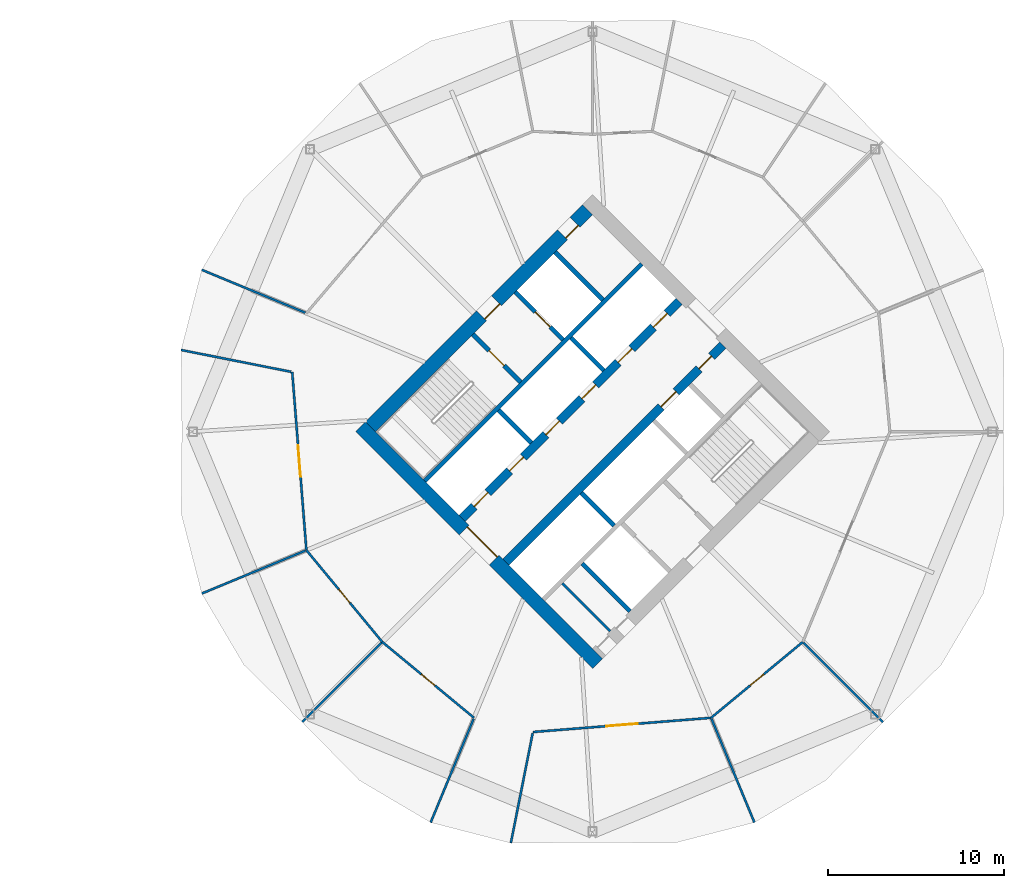
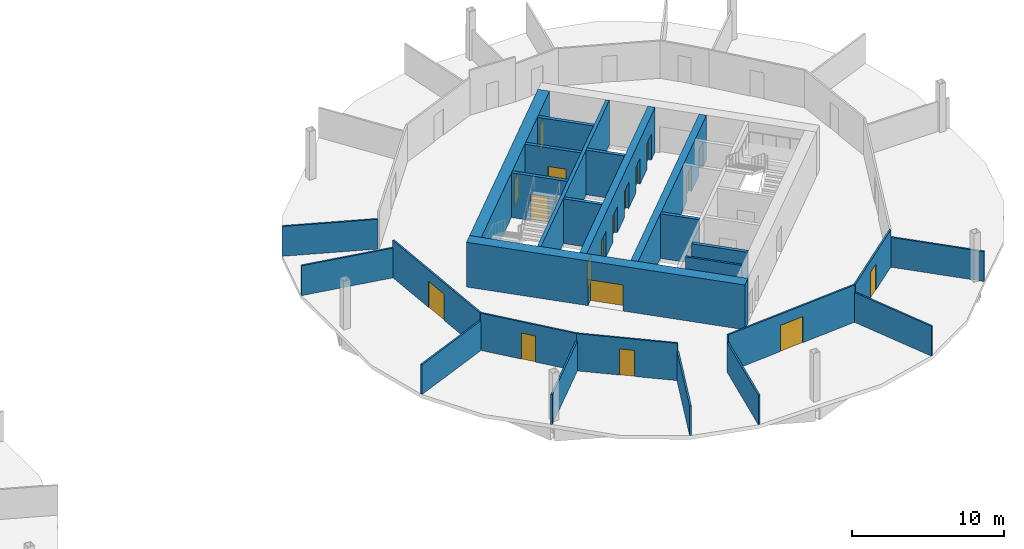
# One storey, part 6 of 9: 26 walls, 18 doors, 18 openings.
"""IFC4 building model written with IfcOpenShell, lengths in metres."""

from ifc_helpers import new_model, si_unit, direction, frame, frame_2d, origin, place, context, subcontext, project, spatial, rectangle, extrude, material, layer, layer_set, type_object, element, fill, save


model = new_model("IFC4")

# Units and contexts
model_context = context("Model", 3, precision=1e-05, world=origin(), true_north=direction((0.0, 1.0)))
body_context = subcontext(model_context, "Body", "Model", "MODEL_VIEW")
ifc_project = project(units=[si_unit("LENGTHUNIT", "METRE"), si_unit("AREAUNIT", "SQUARE_METRE"), si_unit("VOLUMEUNIT", "CUBIC_METRE"), si_unit("PLANEANGLEUNIT", "RADIAN"), si_unit("MASSUNIT", "GRAM", prefix="KILO")], contexts=[model_context])

# Site, building, storey
site_placement = place(None, origin())
site = spatial("IfcSite", under=ifc_project, at=site_placement, CompositionType="ELEMENT")
building_placement = place(site_placement, origin())
building = spatial("IfcBuilding", under=site, at=building_placement, Name="Ogive Gate Towers", CompositionType="ELEMENT")
storey_placement = place(building_placement, frame((0.0, 0.0, 84.0)))
storey = spatial("IfcBuildingStorey", under=building, at=storey_placement, Name="L19", CompositionType="ELEMENT", Elevation=84.0)

# Wall, openings, doors
ifc_material_1 = material(Name="Concrete C60/75", Category="concrete")
ifc_layer_1 = layer(ifc_material_1, 0.800048828125)
ifc_layer_set_1 = layer_set([ifc_layer_1], Name="Core wall 800 mm")
wall_type_1 = type_object("IfcWallType", Name="Core wall 800 mm", PredefinedType="SHEAR", material=ifc_layer_set_1)
wall_1_placement = place(storey_placement, frame((23.41357421875, 0.28271484375, 0.0), z_axis=(0.0, 0.0, 1.0), x_axis=(0.707106781187, 0.707106781187, 0.0)))
wall_1 = element("IfcWall", 1, at=wall_1_placement, inside=storey, type_object=wall_type_1, Name="T2 L19 Core wall 800 mm", PredefinedType="SHEAR", context=body_context, shape_type="SweptSolid", body=[
    extrude(rectangle(XDim=17.400146484375, YDim=0.800048828125, at=frame_2d((8.7001953125, 0.0))), origin(), (0.0, 0.0, 1.0), 3.60009765625),
])
opening_1_placement = place(wall_1_placement, frame((8.89990234375, 0.0, 0.0)))
opening_1 = element("IfcOpeningElement", 2, at=opening_1_placement, cuts=wall_1, Name="Opening KD-T2-L19-15", PredefinedType="OPENING", context=body_context, shape_type="SweptSolid", body=[
    extrude(rectangle(XDim=1.199951171875, YDim=2.10009765625, at=frame_2d((0.60009765625, 1.050048828125))), frame((0.0, 0.41015625, 0.0), z_axis=(0.0, -1.0, 0.0), x_axis=(1.0, 0.0, 0.0)), (0.0, 0.0, 1.0), 0.820068359375),
])
opening_2_placement = place(wall_1_placement, frame((15.39990234375, 0.0, 0.0)))
opening_2 = element("IfcOpeningElement", 3, at=opening_2_placement, cuts=wall_1, Name="Opening KD-T2-L19-17", PredefinedType="OPENING", context=body_context, shape_type="SweptSolid", body=[
    extrude(rectangle(XDim=1.0, YDim=2.10009765625, at=frame_2d((0.5, 1.050048828125))), frame((0.0, 0.41015625, 0.0), z_axis=(0.0, -1.0, 0.0), x_axis=(1.0, 0.0, 0.0)), (0.0, 0.0, 1.0), 0.820068359375),
])
ifc_material_2 = material(Name="Timber door", Category="wood")
door_type_1 = type_object("IfcDoorType", Name="Accessible WC door 1000 x 2100", OperationType="NOTDEFINED", PredefinedType="DOOR", material=ifc_material_2)
door_1_placement = place(opening_2_placement, origin())
door_1 = element("IfcDoor", 4, at=door_1_placement, inside=storey, type_object=door_type_1, Name="T2 L19 Core door", OperationType="SINGLE_SWING_RIGHT", OverallHeight=2.10009765625, OverallWidth=1.0, PredefinedType="DOOR", context=body_context, shape_type="SweptSolid", body=[
    extrude(rectangle(XDim=1.0, YDim=2.10009765625, at=frame_2d((0.5, 1.050048828125))), frame((0.0, -0.22509765625, 0.0), z_axis=(0.0, -1.0, 0.0), x_axis=(1.0, 0.0, 0.0)), (0.0, 0.0, 1.0), 0.050048828125),
])
fill(opening_2, door_1)
ifc_material_3 = material(Name="Steel fire door", Category="steel")
door_type_2 = type_object("IfcDoorType", Name="Core door FD60S 1200 x 2100", OperationType="NOTDEFINED", PredefinedType="DOOR", material=ifc_material_3)
door_2_placement = place(opening_1_placement, origin())
door_2 = element("IfcDoor", 5, at=door_2_placement, inside=storey, type_object=door_type_2, Name="T2 L19 Fire-fighting lobby door", OperationType="SINGLE_SWING_RIGHT", OverallHeight=2.10009765625, OverallWidth=1.199951171875, PredefinedType="DOOR", context=body_context, shape_type="SweptSolid", body=[
    extrude(rectangle(XDim=1.199951171875, YDim=2.10009765625, at=frame_2d((0.60009765625, 1.050048828125))), frame((0.0, -0.22509765625, 0.0), z_axis=(0.0, -1.0, 0.0), x_axis=(1.0, 0.0, 0.0)), (0.0, 0.0, 1.0), 0.050048828125),
])
fill(opening_1, door_2)

# Wall, opening, door
wall_2_placement = place(storey_placement, frame((36.28271484375, -13.152099609375, 0.0), z_axis=(0.0, 0.0, 1.0), x_axis=(-0.707106781187, 0.707106781187, 0.0)))
wall_2 = element("IfcWall", 6, at=wall_2_placement, inside=storey, type_object=wall_type_1, Name="T2 L19 Core wall 800 mm", PredefinedType="SHEAR", context=body_context, shape_type="SweptSolid", body=[
    extrude(rectangle(XDim=18.999755859375, YDim=0.800048828125, at=frame_2d((9.5, 0.0))), origin(), (0.0, 0.0, 1.0), 3.60009765625),
])
opening_3_placement = place(wall_2_placement, frame((8.300048828125, 0.0, 0.0)))
opening_3 = element("IfcOpeningElement", 7, at=opening_3_placement, cuts=wall_2, Name="Opening KD-T2-L19-01", PredefinedType="OPENING", context=body_context, shape_type="SweptSolid", body=[
    extrude(rectangle(XDim=2.39990234375, YDim=2.10009765625, at=frame_2d((1.199951171875, 1.050048828125))), frame((0.0, 0.41015625, 0.0), z_axis=(0.0, -1.0, 0.0), x_axis=(1.0, 0.0, 0.0)), (0.0, 0.0, 1.0), 0.820068359375),
])
door_type_3 = type_object("IfcDoorType", Name="Core double door FD60S 2400 x 2100", OperationType="DOUBLE_DOOR_SINGLE_SWING", PredefinedType="DOOR", material=ifc_material_3)
door_3_placement = place(opening_3_placement, origin())
door_3 = element("IfcDoor", 8, at=door_3_placement, inside=storey, type_object=door_type_3, Name="T2 L19 Core door double", OperationType="DOUBLE_DOOR_SINGLE_SWING", OverallHeight=2.10009765625, OverallWidth=2.39990234375, PredefinedType="DOOR", context=body_context, shape_type="SweptSolid", body=[
    extrude(rectangle(XDim=2.39990234375, YDim=2.10009765625, at=frame_2d((1.199951171875, 1.050048828125))), frame((0.0, -0.22509765625, 0.0), z_axis=(0.0, -1.0, 0.0), x_axis=(1.0, 0.0, 0.0)), (0.0, 0.0, 1.0), 0.050048828125),
])
fill(opening_3, door_3)

# Walls
ifc_material_4 = material(Name="Gypsum board partition")
ifc_layer_2 = layer(ifc_material_4, 0.125)
ifc_layer_set_2 = layer_set([ifc_layer_2], Name="Partition 125")
wall_type_2 = type_object("IfcWallType", Name="Partition 125", PredefinedType="PARTITIONING", material=ifc_layer_set_2)
wall_3_placement = place(storey_placement, frame((13.826904296875, 9.184326171875, 0.0), z_axis=(0.0, 0.0, 1.0), x_axis=(0.923885020089, -0.382670183912, 0.0)))
element("IfcWall", 9, at=wall_3_placement, inside=storey, type_object=wall_type_2, Name="Partition T2-L19-009", PredefinedType="PARTITIONING", context=body_context, shape_type="SweptSolid", body=[
    extrude(rectangle(XDim=6.365966796875, YDim=0.125, at=frame_2d((3.18310546875, 0.0))), origin(), (0.0, 0.0, 1.0), 2.39990234375),
])
wall_4_placement = place(storey_placement, frame((12.65625, 4.6357421875, 0.0), z_axis=(0.0, 0.0, 1.0), x_axis=(0.980845288953, -0.1947883958, 0.0)))
element("IfcWall", 10, at=wall_4_placement, inside=storey, type_object=wall_type_2, Name="Partition T2-L19-010", PredefinedType="PARTITIONING", context=body_context, shape_type="SweptSolid", body=[
    extrude(rectangle(XDim=6.36572265625, YDim=0.125, at=frame_2d((3.182861328125, 0.0))), origin(), (0.0, 0.0, 1.0), 2.39990234375),
])
for number, where, z_axis, x_axis, name in (
    (11, (13.826904296875, -9.184326171875, 0.0), (0.0, 0.0, 1.0), (0.923885020089, 0.382670183912, 0.0), "Partition T2-L19-011"),
    (12, (19.525146484375, -16.474853515625, 0.0), (0.0, 0.0, 1.0), (0.707106781187, 0.707106781187, 0.0), "Partition T2-L19-012"),
    (13, (26.815673828125, -22.173095703125, 0.0), (0.0, 0.0, 1.0), (0.382670183912, 0.923885020089, 0.0), "Partition T2-L19-013"),
):
    element("IfcWall", number, at=place(storey_placement, frame(where, z_axis=z_axis, x_axis=x_axis)), inside=storey, type_object=wall_type_2, Name=name, PredefinedType="PARTITIONING", context=body_context, shape_type="SweptSolid", body=[
        extrude(rectangle(XDim=6.365966796875, YDim=0.125, at=frame_2d((3.18310546875, 0.0))), origin(), (0.0, 0.0, 1.0), 2.39990234375),
    ])
wall_5_placement = place(storey_placement, frame((31.3642578125, -23.34375, 0.0), z_axis=(0.0, 0.0, 1.0), x_axis=(0.1947883958, 0.980845288953, 0.0)))
element("IfcWall", 14, at=wall_5_placement, inside=storey, type_object=wall_type_2, Name="Partition T2-L19-014", PredefinedType="PARTITIONING", context=body_context, shape_type="SweptSolid", body=[
    extrude(rectangle(XDim=6.36572265625, YDim=0.125, at=frame_2d((3.182861328125, 0.0))), origin(), (0.0, 0.0, 1.0), 2.39990234375),
])
for number, where, z_axis, x_axis, name in (
    (15, (45.184326171875, -22.173095703125, 0.0), (0.0, 0.0, 1.0), (-0.382670183912, 0.923885020089, 0.0), "Partition T2-L19-015"),
    (16, (52.474853515625, -16.474853515625, 0.0), (0.0, 0.0, 1.0), (-0.707106781187, 0.707106781187, 0.0), "Partition T2-L19-016"),
):
    element("IfcWall", number, at=place(storey_placement, frame(where, z_axis=z_axis, x_axis=x_axis)), inside=storey, type_object=wall_type_2, Name=name, PredefinedType="PARTITIONING", context=body_context, shape_type="SweptSolid", body=[
        extrude(rectangle(XDim=6.365966796875, YDim=0.125, at=frame_2d((3.18310546875, 0.0))), origin(), (0.0, 0.0, 1.0), 2.39990234375),
    ])

# Wall, opening, door
wall_6_placement = place(storey_placement, frame((18.96142578125, 3.383544921875, 0.0), z_axis=(0.0, 0.0, 1.0), x_axis=(0.079358602321, -0.996846132679, 0.0)))
wall_6 = element("IfcWall", 17, at=wall_6_placement, inside=storey, type_object=wall_type_2, Name="Partition T2-L19-017", PredefinedType="PARTITIONING", context=body_context, shape_type="SweptSolid", body=[
    extrude(rectangle(XDim=10.139892578125, YDim=0.125, at=frame_2d((5.06982421875, 0.0))), origin(), (0.0, 0.0, 1.0), 3.0),
])
opening_4_placement = place(wall_6_placement, frame((4.169921875, 0.0, 0.0)))
opening_4 = element("IfcOpeningElement", 18, at=opening_4_placement, cuts=wall_6, Name="Opening T2-L19-D01", PredefinedType="OPENING", context=body_context, shape_type="SweptSolid", body=[
    extrude(rectangle(XDim=1.800048828125, YDim=2.10009765625, at=frame_2d((0.89990234375, 1.050048828125))), frame((0.0, 0.072509765625, 0.0), z_axis=(0.0, -1.0, 0.0), x_axis=(1.0, 0.0, 0.0)), (0.0, 0.0, 1.0), 0.14501953125),
])
door_type_4 = type_object("IfcDoorType", Name="Door pair 1800", OperationType="NOTDEFINED", PredefinedType="DOOR", material=ifc_material_2)
door_4_placement = place(opening_4_placement, origin())
door_4 = element("IfcDoor", 19, at=door_4_placement, inside=storey, type_object=door_type_4, Name="Door T2-L19-D01", OperationType="DOUBLE_DOOR_DOUBLE_SWING", OverallHeight=2.10009765625, OverallWidth=1.800048828125, PredefinedType="DOOR", context=body_context, shape_type="SweptSolid", body=[
    extrude(rectangle(XDim=1.800048828125, YDim=2.10009765625, at=frame_2d((0.89990234375, 1.050048828125))), frame((0.0, 0.02490234375, 0.0), z_axis=(0.0, -1.0, 0.0), x_axis=(1.0, 0.0, 0.0)), (0.0, 0.0, 1.0), 0.050048828125),
])
fill(opening_4, door_4)

wall_7_placement = place(storey_placement, frame((19.76611328125, -6.724365234375, 0.0), z_axis=(0.0, 0.0, 1.0), x_axis=(0.63732504297, -0.77059508797, 0.0)))
wall_7 = element("IfcWall", 20, at=wall_7_placement, inside=storey, type_object=wall_type_2, Name="Partition T2-L19-018", PredefinedType="PARTITIONING", context=body_context, shape_type="SweptSolid", body=[
    extrude(rectangle(XDim=6.75439453125, YDim=0.125, at=frame_2d((3.377197265625, 0.0))), origin(), (0.0, 0.0, 1.0), 3.0),
])
opening_5_placement = place(wall_7_placement, frame((2.876953125, 0.0, 0.0)))
opening_5 = element("IfcOpeningElement", 21, at=opening_5_placement, cuts=wall_7, Name="Opening T2-L19-D02", PredefinedType="OPENING", context=body_context, shape_type="SweptSolid", body=[
    extrude(rectangle(XDim=1.0, YDim=2.10009765625, at=frame_2d((0.5, 1.050048828125))), frame((0.0, 0.072509765625, 0.0), z_axis=(0.0, -1.0, 0.0), x_axis=(1.0, 0.0, 0.0)), (0.0, 0.0, 1.0), 0.14501953125),
])
door_type_5 = type_object("IfcDoorType", Name="Door 1000", OperationType="NOTDEFINED", PredefinedType="DOOR", material=ifc_material_2)
door_5_placement = place(opening_5_placement, origin())
door_5 = element("IfcDoor", 22, at=door_5_placement, inside=storey, type_object=door_type_5, Name="Door T2-L19-D02", OperationType="SINGLE_SWING_LEFT", OverallHeight=2.10009765625, OverallWidth=1.0, PredefinedType="DOOR", context=body_context, shape_type="SweptSolid", body=[
    extrude(rectangle(XDim=1.0, YDim=2.10009765625, at=frame_2d((0.5, 1.050048828125))), frame((0.0, 0.02490234375, 0.0), z_axis=(0.0, -1.0, 0.0), x_axis=(1.0, 0.0, 0.0)), (0.0, 0.0, 1.0), 0.050048828125),
])
fill(opening_5, door_5)

wall_8_placement = place(storey_placement, frame((24.07080078125, -11.92919921875, 0.0), z_axis=(0.0, 0.0, 1.0), x_axis=(0.77059508797, -0.63732504297, 0.0)))
wall_8 = element("IfcWall", 23, at=wall_8_placement, inside=storey, type_object=wall_type_2, Name="Partition T2-L19-019", PredefinedType="PARTITIONING", context=body_context, shape_type="SweptSolid", body=[
    extrude(rectangle(XDim=6.75439453125, YDim=0.125, at=frame_2d((3.377197265625, 0.0))), origin(), (0.0, 0.0, 1.0), 3.0),
])
opening_6_placement = place(wall_8_placement, frame((2.876953125, 0.0, 0.0)))
opening_6 = element("IfcOpeningElement", 24, at=opening_6_placement, cuts=wall_8, Name="Opening T2-L19-D03", PredefinedType="OPENING", context=body_context, shape_type="SweptSolid", body=[
    extrude(rectangle(XDim=1.0, YDim=2.10009765625, at=frame_2d((0.5, 1.050048828125))), frame((0.0, 0.072509765625, 0.0), z_axis=(0.0, -1.0, 0.0), x_axis=(1.0, 0.0, 0.0)), (0.0, 0.0, 1.0), 0.14501953125),
])
door_6_placement = place(opening_6_placement, origin())
door_6 = element("IfcDoor", 25, at=door_6_placement, inside=storey, type_object=door_type_5, Name="Door T2-L19-D03", OperationType="SINGLE_SWING_LEFT", OverallHeight=2.10009765625, OverallWidth=1.0, PredefinedType="DOOR", context=body_context, shape_type="SweptSolid", body=[
    extrude(rectangle(XDim=1.0, YDim=2.10009765625, at=frame_2d((0.5, 1.050048828125))), frame((0.0, 0.02490234375, 0.0), z_axis=(0.0, -1.0, 0.0), x_axis=(1.0, 0.0, 0.0)), (0.0, 0.0, 1.0), 0.050048828125),
])
fill(opening_6, door_6)

wall_9_placement = place(storey_placement, frame((32.616455078125, -17.03857421875, 0.0), z_axis=(0.0, 0.0, 1.0), x_axis=(0.996846132679, 0.079358602321, 0.0)))
wall_9 = element("IfcWall", 26, at=wall_9_placement, inside=storey, type_object=wall_type_2, Name="Partition T2-L19-020", PredefinedType="PARTITIONING", context=body_context, shape_type="SweptSolid", body=[
    extrude(rectangle(XDim=10.139892578125, YDim=0.125, at=frame_2d((5.06982421875, 0.0))), origin(), (0.0, 0.0, 1.0), 3.0),
])
opening_7_placement = place(wall_9_placement, frame((4.169921875, 0.0, 0.0)))
opening_7 = element("IfcOpeningElement", 27, at=opening_7_placement, cuts=wall_9, Name="Opening T2-L19-D04", PredefinedType="OPENING", context=body_context, shape_type="SweptSolid", body=[
    extrude(rectangle(XDim=1.800048828125, YDim=2.10009765625, at=frame_2d((0.89990234375, 1.050048828125))), frame((0.0, 0.072509765625, 0.0), z_axis=(0.0, -1.0, 0.0), x_axis=(1.0, 0.0, 0.0)), (0.0, 0.0, 1.0), 0.14501953125),
])
door_7_placement = place(opening_7_placement, origin())
door_7 = element("IfcDoor", 28, at=door_7_placement, inside=storey, type_object=door_type_4, Name="Door T2-L19-D04", OperationType="DOUBLE_DOOR_DOUBLE_SWING", OverallHeight=2.10009765625, OverallWidth=1.800048828125, PredefinedType="DOOR", context=body_context, shape_type="SweptSolid", body=[
    extrude(rectangle(XDim=1.800048828125, YDim=2.10009765625, at=frame_2d((0.89990234375, 1.050048828125))), frame((0.0, 0.02490234375, 0.0), z_axis=(0.0, -1.0, 0.0), x_axis=(1.0, 0.0, 0.0)), (0.0, 0.0, 1.0), 0.050048828125),
])
fill(opening_7, door_7)

wall_10_placement = place(storey_placement, frame((42.724365234375, -16.23388671875, 0.0), z_axis=(0.0, 0.0, 1.0), x_axis=(0.77059508797, 0.63732504297, 0.0)))
wall_10 = element("IfcWall", 29, at=wall_10_placement, inside=storey, type_object=wall_type_2, Name="Partition T2-L19-021", PredefinedType="PARTITIONING", context=body_context, shape_type="SweptSolid", body=[
    extrude(rectangle(XDim=6.75439453125, YDim=0.125, at=frame_2d((3.377197265625, 0.0))), origin(), (0.0, 0.0, 1.0), 3.0),
])
opening_8_placement = place(wall_10_placement, frame((2.876953125, 0.0, 0.0)))
opening_8 = element("IfcOpeningElement", 30, at=opening_8_placement, cuts=wall_10, Name="Opening T2-L19-D05", PredefinedType="OPENING", context=body_context, shape_type="SweptSolid", body=[
    extrude(rectangle(XDim=1.0, YDim=2.10009765625, at=frame_2d((0.5, 1.050048828125))), frame((0.0, 0.072509765625, 0.0), z_axis=(0.0, -1.0, 0.0), x_axis=(1.0, 0.0, 0.0)), (0.0, 0.0, 1.0), 0.14501953125),
])
door_8_placement = place(opening_8_placement, origin())
door_8 = element("IfcDoor", 31, at=door_8_placement, inside=storey, type_object=door_type_5, Name="Door T2-L19-D05", OperationType="SINGLE_SWING_RIGHT", OverallHeight=2.10009765625, OverallWidth=1.0, PredefinedType="DOOR", context=body_context, shape_type="SweptSolid", body=[
    extrude(rectangle(XDim=1.0, YDim=2.10009765625, at=frame_2d((0.5, 1.050048828125))), frame((0.0, 0.02490234375, 0.0), z_axis=(0.0, -1.0, 0.0), x_axis=(1.0, 0.0, 0.0)), (0.0, 0.0, 1.0), 0.050048828125),
])
fill(opening_8, door_8)

# Walls
ifc_layer_3 = layer(ifc_material_4, 0.14990234375)
ifc_layer_set_3 = layer_set([ifc_layer_3], Name="Room partition 150 mm")
wall_type_3 = type_object("IfcWallType", Name="Room partition 150 mm", PredefinedType="PARTITIONING", material=ifc_layer_set_3)
wall_11_placement = place(storey_placement, frame((36.989990234375, -11.313720703125, 0.0), z_axis=(0.0, 0.0, 1.0), x_axis=(-0.707074866995, 0.707138693938, 0.0)))
element("IfcWall", 32, at=wall_11_placement, inside=storey, type_object=wall_type_3, Name="T2 L19 Room partition 150 mm", PredefinedType="PARTITIONING", context=body_context, shape_type="SweptSolid", body=[
    extrude(rectangle(XDim=3.824951171875, YDim=0.14990234375, at=frame_2d((1.91259765625, 0.0))), origin(), (0.0, 0.0, 1.0), 3.60009765625),
])
ifc_layer_4 = layer(ifc_material_1, 0.25)
ifc_layer_set_4 = layer_set([ifc_layer_4], Name="Shaft wall 250 mm")
wall_type_4 = type_object("IfcWallType", Name="Shaft wall 250 mm", PredefinedType="SHEAR", material=ifc_layer_set_4)
wall_12_placement = place(storey_placement, frame((26.489501953125, -2.793212890625, 0.0), z_axis=(0.0, 0.0, 1.0), x_axis=(0.707106781187, 0.707106781187, 0.0)))
element("IfcWall", 33, at=wall_12_placement, inside=storey, type_object=wall_type_4, Name="T2 L19 Shaft wall 250 mm", PredefinedType="SHEAR", context=body_context, shape_type="SweptSolid", body=[
    extrude(rectangle(XDim=17.400146484375, YDim=0.25, at=frame_2d((8.7001953125, 0.0))), origin(), (0.0, 0.0, 1.0), 3.60009765625),
])
wall_13_placement = place(storey_placement, frame((38.121337890625, -10.182373046875, 0.0), z_axis=(0.0, 0.0, 1.0), x_axis=(-0.707138693938, 0.707074866995, 0.0)))
element("IfcWall", 34, at=wall_13_placement, inside=storey, type_object=wall_type_4, Name="T2 L19 Shaft wall 250 mm", PredefinedType="SHEAR", context=body_context, shape_type="SweptSolid", body=[
    extrude(rectangle(XDim=3.824951171875, YDim=0.25, at=frame_2d((1.91259765625, 0.0))), origin(), (0.0, 0.0, 1.0), 3.60009765625),
])
for number, where, z_axis, x_axis, name in (
    (35, (37.2197265625, -5.321044921875, 0.0), (0.0, 0.0, 1.0), (-0.707106781187, 0.707106781187, 0.0), "T2 L19 Shaft wall 250 mm"),
    (36, (32.53515625, -0.636474609375, 0.0), (0.0, 0.0, 1.0), (-0.707106781187, 0.707106781187, 0.0), "T2 L19 Shaft wall 250 mm"),
):
    element("IfcWall", number, at=place(storey_placement, frame(where, z_axis=z_axis, x_axis=x_axis)), inside=storey, type_object=wall_type_4, Name=name, PredefinedType="SHEAR", context=body_context, shape_type="SweptSolid", body=[
        extrude(rectangle(XDim=2.625, YDim=0.25, at=frame_2d((1.3125, 0.0))), origin(), (0.0, 0.0, 1.0), 3.60009765625),
    ])

# Wall, opening, door
wall_14_placement = place(storey_placement, frame((31.91650390625, 2.810791015625, 0.0), z_axis=(0.0, 0.0, 1.0), x_axis=(-0.707106781187, 0.707106781187, 0.0)))
wall_14 = element("IfcWall", 37, at=wall_14_placement, inside=storey, type_object=wall_type_4, Name="T2 L19 Shaft wall 250 mm", PredefinedType="SHEAR", context=body_context, shape_type="SweptSolid", body=[
    extrude(rectangle(XDim=3.824951171875, YDim=0.25, at=frame_2d((1.91259765625, 0.0))), origin(), (0.0, 0.0, 1.0), 3.60009765625),
])
opening_9_placement = place(wall_14_placement, frame((1.324951171875, 0.0, 0.0)))
opening_9 = element("IfcOpeningElement", 38, at=opening_9_placement, cuts=wall_14, Name="Opening KD-T2-L19-13", PredefinedType="OPENING", context=body_context, shape_type="SweptSolid", body=[
    extrude(rectangle(XDim=1.199951171875, YDim=2.10009765625, at=frame_2d((0.60009765625, 1.050048828125))), frame((0.0, 0.135009765625, 0.0), z_axis=(0.0, -1.0, 0.0), x_axis=(1.0, 0.0, 0.0)), (0.0, 0.0, 1.0), 0.27001953125),
])
door_9_placement = place(opening_9_placement, origin())
door_9 = element("IfcDoor", 39, at=door_9_placement, inside=storey, type_object=door_type_2, Name="T2 L19 Stair door", OperationType="SINGLE_SWING_RIGHT", OverallHeight=2.10009765625, OverallWidth=1.199951171875, PredefinedType="DOOR", context=body_context, shape_type="SweptSolid", body=[
    extrude(rectangle(XDim=1.199951171875, YDim=2.10009765625, at=frame_2d((0.60009765625, 1.050048828125))), frame((0.0, 0.02490234375, 0.0), z_axis=(0.0, -1.0, 0.0), x_axis=(1.0, 0.0, 0.0)), (0.0, 0.0, 1.0), 0.050048828125),
])
fill(opening_9, door_9)

wall_15_placement = place(storey_placement, frame((34.320556640625, 5.21484375, 0.0), z_axis=(0.0, 0.0, 1.0), x_axis=(-0.707074866995, 0.707138693938, 0.0)))
wall_15 = element("IfcWall", 40, at=wall_15_placement, inside=storey, type_object=wall_type_4, Name="T2 L19 Shaft wall 250 mm", PredefinedType="SHEAR", context=body_context, shape_type="SweptSolid", body=[
    extrude(rectangle(XDim=3.824951171875, YDim=0.25, at=frame_2d((1.91259765625, 0.0))), origin(), (0.0, 0.0, 1.0), 3.60009765625),
])
opening_10_placement = place(wall_15_placement, frame((1.02490234375, 0.0, 0.0)))
opening_10 = element("IfcOpeningElement", 41, at=opening_10_placement, cuts=wall_15, Name="Opening LD-T2-L19-10", PredefinedType="OPENING", context=body_context, shape_type="SweptSolid", body=[
    extrude(rectangle(XDim=1.199951171875, YDim=2.10009765625, at=frame_2d((0.60009765625, 1.050048828125))), frame((0.0, 0.135009765625, 0.0), z_axis=(0.0, -1.0, 0.0), x_axis=(1.0, 0.0, 0.0)), (0.0, 0.0, 1.0), 0.27001953125),
])
ifc_material_5 = material(Name="Stainless steel landing door", Category="steel")
door_type_6 = type_object("IfcDoorType", Name="Landing door 1200 x 2100", OperationType="SLIDING_TO_LEFT", PredefinedType="DOOR", material=ifc_material_5)
door_10_placement = place(opening_10_placement, origin())
door_10 = element("IfcDoor", 42, at=door_10_placement, inside=storey, type_object=door_type_6, Name="T2 L19 Lift landing door FF1", OperationType="SLIDING_TO_LEFT", OverallHeight=2.10009765625, OverallWidth=1.199951171875, PredefinedType="DOOR", context=body_context, shape_type="SweptSolid", body=[
    extrude(rectangle(XDim=1.199951171875, YDim=2.10009765625, at=frame_2d((0.60009765625, 1.050048828125))), frame((0.0, 0.02490234375, 0.0), z_axis=(0.0, -1.0, 0.0), x_axis=(1.0, 0.0, 0.0)), (0.0, 0.0, 1.0), 0.050048828125),
])
fill(opening_10, door_10)

# Walls
wall_16_placement = place(storey_placement, frame((36.636474609375, 3.46484375, 0.0), z_axis=(0.0, 0.0, 1.0), x_axis=(-0.707106781187, 0.707106781187, 0.0)))
element("IfcWall", 43, at=wall_16_placement, inside=storey, type_object=wall_type_4, Name="T2 L19 Shaft wall 250 mm", PredefinedType="SHEAR", context=body_context, shape_type="SweptSolid", body=[
    extrude(rectangle(XDim=2.625, YDim=0.25, at=frame_2d((1.3125, 0.0))), origin(), (0.0, 0.0, 1.0), 3.60009765625),
])
wall_17_placement = place(storey_placement, frame((36.58349609375, 7.477783203125, 0.0), z_axis=(0.0, 0.0, 1.0), x_axis=(-0.707138693938, 0.707074866995, 0.0)))
element("IfcWall", 44, at=wall_17_placement, inside=storey, type_object=wall_type_4, Name="T2 L19 Shaft wall 250 mm", PredefinedType="SHEAR", context=body_context, shape_type="SweptSolid", body=[
    extrude(rectangle(XDim=3.824951171875, YDim=0.25, at=frame_2d((1.91259765625, 0.0))), origin(), (0.0, 0.0, 1.0), 3.60009765625),
])

# Wall, openings, doors
ifc_layer_5 = layer(ifc_material_1, 0.5)
ifc_layer_set_5 = layer_set([ifc_layer_5], Name="Spine wall 500 mm")
wall_type_5 = type_object("IfcWallType", Name="Spine wall 500 mm", PredefinedType="SHEAR", material=ifc_layer_set_5)
wall_18_placement = place(storey_placement, frame((31.085693359375, -7.389404296875, 0.0), z_axis=(0.0, 0.0, 1.0), x_axis=(0.707106781187, 0.707106781187, 0.0)))
wall_18 = element("IfcWall", 45, at=wall_18_placement, inside=storey, type_object=wall_type_5, Name="T2 L19 Spine wall 500 mm", PredefinedType="SHEAR", context=body_context, shape_type="SweptSolid", body=[
    extrude(rectangle(XDim=17.400146484375, YDim=0.5, at=frame_2d((8.7001953125, 0.0))), origin(), (0.0, 0.0, 1.0), 3.60009765625),
])
opening_11_placement = place(wall_18_placement, frame((12.449951171875, 0.0, 0.0)))
opening_11 = element("IfcOpeningElement", 46, at=opening_11_placement, cuts=wall_18, Name="Opening LD-T2-L19-09", PredefinedType="OPENING", context=body_context, shape_type="SweptSolid", body=[
    extrude(rectangle(XDim=1.199951171875, YDim=2.10009765625, at=frame_2d((0.60009765625, 1.050048828125))), frame((0.0, 0.260009765625, 0.0), z_axis=(0.0, -1.0, 0.0), x_axis=(1.0, 0.0, 0.0)), (0.0, 0.0, 1.0), 0.52001953125),
])
opening_12_placement = place(wall_18_placement, frame((15.5, 0.0, 0.0)))
opening_12 = element("IfcOpeningElement", 47, at=opening_12_placement, cuts=wall_18, Name="Opening KD-T2-L19-12", PredefinedType="OPENING", context=body_context, shape_type="SweptSolid", body=[
    extrude(rectangle(XDim=1.0, YDim=2.10009765625, at=frame_2d((0.5, 1.050048828125))), frame((0.0, 0.260009765625, 0.0), z_axis=(0.0, -1.0, 0.0), x_axis=(1.0, 0.0, 0.0)), (0.0, 0.0, 1.0), 0.52001953125),
])
door_type_7 = type_object("IfcDoorType", Name="Core door FD60S 1000 x 2100", OperationType="NOTDEFINED", PredefinedType="DOOR", material=ifc_material_3)
door_11_placement = place(opening_12_placement, origin())
door_11 = element("IfcDoor", 48, at=door_11_placement, inside=storey, type_object=door_type_7, Name="T2 L19 Core door", OperationType="SINGLE_SWING_LEFT", OverallHeight=2.10009765625, OverallWidth=1.0, PredefinedType="DOOR", context=body_context, shape_type="SweptSolid", body=[
    extrude(rectangle(XDim=1.0, YDim=2.10009765625, at=frame_2d((0.5, 1.050048828125))), frame((0.0, 0.02490234375, 0.0), z_axis=(0.0, -1.0, 0.0), x_axis=(1.0, 0.0, 0.0)), (0.0, 0.0, 1.0), 0.050048828125),
])
fill(opening_12, door_11)
door_12_placement = place(opening_11_placement, origin())
door_12 = element("IfcDoor", 49, at=door_12_placement, inside=storey, type_object=door_type_6, Name="T2 L19 Lift landing door SVC", OperationType="SLIDING_TO_LEFT", OverallHeight=2.10009765625, OverallWidth=1.199951171875, PredefinedType="DOOR", context=body_context, shape_type="SweptSolid", body=[
    extrude(rectangle(XDim=1.199951171875, YDim=2.10009765625, at=frame_2d((0.60009765625, 1.050048828125))), frame((0.0, 0.02490234375, 0.0), z_axis=(0.0, -1.0, 0.0), x_axis=(1.0, 0.0, 0.0)), (0.0, 0.0, 1.0), 0.050048828125),
])
fill(opening_11, door_12)

wall_19_placement = place(storey_placement, frame((28.610595703125, -4.914306640625, 0.0), z_axis=(0.0, 0.0, 1.0), x_axis=(0.707106781187, 0.707106781187, 0.0)))
wall_19 = element("IfcWall", 50, at=wall_19_placement, inside=storey, type_object=wall_type_5, Name="T2 L19 Spine wall 500 mm", PredefinedType="SHEAR", context=body_context, shape_type="SweptSolid", body=[
    extrude(rectangle(XDim=17.400146484375, YDim=0.5, at=frame_2d((8.7001953125, 0.0))), origin(), (0.0, 0.0, 1.0), 3.60009765625),
])
opening_13_placement = place(wall_19_placement, frame((0.96240234375, 0.0, 0.0)))
opening_13 = element("IfcOpeningElement", 51, at=opening_13_placement, cuts=wall_19, Name="Opening LD-T2-L19-03", PredefinedType="OPENING", context=body_context, shape_type="SweptSolid", body=[
    extrude(rectangle(XDim=1.10009765625, YDim=2.10009765625, at=frame_2d((0.550048828125, 1.050048828125))), frame((0.0, 0.260009765625, 0.0), z_axis=(0.0, -1.0, 0.0), x_axis=(1.0, 0.0, 0.0)), (0.0, 0.0, 1.0), 0.52001953125),
])
opening_14_placement = place(wall_19_placement, frame((3.800048828125, 0.0, 0.0)))
opening_14 = element("IfcOpeningElement", 52, at=opening_14_placement, cuts=wall_19, Name="Opening LD-T2-L19-04", PredefinedType="OPENING", context=body_context, shape_type="SweptSolid", body=[
    extrude(rectangle(XDim=1.10009765625, YDim=2.10009765625, at=frame_2d((0.550048828125, 1.050048828125))), frame((0.0, 0.260009765625, 0.0), z_axis=(0.0, -1.0, 0.0), x_axis=(1.0, 0.0, 0.0)), (0.0, 0.0, 1.0), 0.52001953125),
])
opening_15_placement = place(wall_19_placement, frame((6.699951171875, 0.0, 0.0)))
opening_15 = element("IfcOpeningElement", 53, at=opening_15_placement, cuts=wall_19, Name="Opening LD-T2-L19-05", PredefinedType="OPENING", context=body_context, shape_type="SweptSolid", body=[
    extrude(rectangle(XDim=1.10009765625, YDim=2.10009765625, at=frame_2d((0.550048828125, 1.050048828125))), frame((0.0, 0.260009765625, 0.0), z_axis=(0.0, -1.0, 0.0), x_axis=(1.0, 0.0, 0.0)), (0.0, 0.0, 1.0), 0.52001953125),
])
opening_16_placement = place(wall_19_placement, frame((9.60009765625, 0.0, 0.0)))
opening_16 = element("IfcOpeningElement", 54, at=opening_16_placement, cuts=wall_19, Name="Opening LD-T2-L19-06", PredefinedType="OPENING", context=body_context, shape_type="SweptSolid", body=[
    extrude(rectangle(XDim=1.10009765625, YDim=2.10009765625, at=frame_2d((0.550048828125, 1.050048828125))), frame((0.0, 0.260009765625, 0.0), z_axis=(0.0, -1.0, 0.0), x_axis=(1.0, 0.0, 0.0)), (0.0, 0.0, 1.0), 0.52001953125),
])
opening_17_placement = place(wall_19_placement, frame((12.5, 0.0, 0.0)))
opening_17 = element("IfcOpeningElement", 55, at=opening_17_placement, cuts=wall_19, Name="Opening LD-T2-L19-07", PredefinedType="OPENING", context=body_context, shape_type="SweptSolid", body=[
    extrude(rectangle(XDim=1.10009765625, YDim=2.10009765625, at=frame_2d((0.550048828125, 1.050048828125))), frame((0.0, 0.260009765625, 0.0), z_axis=(0.0, -1.0, 0.0), x_axis=(1.0, 0.0, 0.0)), (0.0, 0.0, 1.0), 0.52001953125),
])
opening_18_placement = place(wall_19_placement, frame((15.33740234375, 0.0, 0.0)))
opening_18 = element("IfcOpeningElement", 56, at=opening_18_placement, cuts=wall_19, Name="Opening LD-T2-L19-08", PredefinedType="OPENING", context=body_context, shape_type="SweptSolid", body=[
    extrude(rectangle(XDim=1.10009765625, YDim=2.10009765625, at=frame_2d((0.550048828125, 1.050048828125))), frame((0.0, 0.260009765625, 0.0), z_axis=(0.0, -1.0, 0.0), x_axis=(1.0, 0.0, 0.0)), (0.0, 0.0, 1.0), 0.52001953125),
])
door_type_8 = type_object("IfcDoorType", Name="Landing door 1100 x 2100", OperationType="SLIDING_TO_LEFT", PredefinedType="DOOR", material=ifc_material_5)
door_13_placement = place(opening_13_placement, origin())
door_13 = element("IfcDoor", 57, at=door_13_placement, inside=storey, type_object=door_type_8, Name="T2 L19 Lift landing door A1", OperationType="SLIDING_TO_LEFT", OverallHeight=2.10009765625, OverallWidth=1.10009765625, PredefinedType="DOOR", context=body_context, shape_type="SweptSolid", body=[
    extrude(rectangle(XDim=1.10009765625, YDim=2.10009765625, at=frame_2d((0.550048828125, 1.050048828125))), frame((0.0, 0.02490234375, 0.0), z_axis=(0.0, -1.0, 0.0), x_axis=(1.0, 0.0, 0.0)), (0.0, 0.0, 1.0), 0.050048828125),
])
fill(opening_13, door_13)
door_14_placement = place(opening_14_placement, origin())
door_14 = element("IfcDoor", 58, at=door_14_placement, inside=storey, type_object=door_type_8, Name="T2 L19 Lift landing door A2", OperationType="SLIDING_TO_LEFT", OverallHeight=2.10009765625, OverallWidth=1.10009765625, PredefinedType="DOOR", context=body_context, shape_type="SweptSolid", body=[
    extrude(rectangle(XDim=1.10009765625, YDim=2.10009765625, at=frame_2d((0.550048828125, 1.050048828125))), frame((0.0, 0.02490234375, 0.0), z_axis=(0.0, -1.0, 0.0), x_axis=(1.0, 0.0, 0.0)), (0.0, 0.0, 1.0), 0.050048828125),
])
fill(opening_14, door_14)
door_15_placement = place(opening_15_placement, origin())
door_15 = element("IfcDoor", 59, at=door_15_placement, inside=storey, type_object=door_type_8, Name="T2 L19 Lift landing door A3", OperationType="SLIDING_TO_LEFT", OverallHeight=2.10009765625, OverallWidth=1.10009765625, PredefinedType="DOOR", context=body_context, shape_type="SweptSolid", body=[
    extrude(rectangle(XDim=1.10009765625, YDim=2.10009765625, at=frame_2d((0.550048828125, 1.050048828125))), frame((0.0, 0.02490234375, 0.0), z_axis=(0.0, -1.0, 0.0), x_axis=(1.0, 0.0, 0.0)), (0.0, 0.0, 1.0), 0.050048828125),
])
fill(opening_15, door_15)
door_16_placement = place(opening_16_placement, origin())
door_16 = element("IfcDoor", 60, at=door_16_placement, inside=storey, type_object=door_type_8, Name="T2 L19 Lift landing door A4", OperationType="SLIDING_TO_LEFT", OverallHeight=2.10009765625, OverallWidth=1.10009765625, PredefinedType="DOOR", context=body_context, shape_type="SweptSolid", body=[
    extrude(rectangle(XDim=1.10009765625, YDim=2.10009765625, at=frame_2d((0.550048828125, 1.050048828125))), frame((0.0, 0.02490234375, 0.0), z_axis=(0.0, -1.0, 0.0), x_axis=(1.0, 0.0, 0.0)), (0.0, 0.0, 1.0), 0.050048828125),
])
fill(opening_16, door_16)
door_17_placement = place(opening_17_placement, origin())
door_17 = element("IfcDoor", 61, at=door_17_placement, inside=storey, type_object=door_type_8, Name="T2 L19 Lift landing door A5", OperationType="SLIDING_TO_LEFT", OverallHeight=2.10009765625, OverallWidth=1.10009765625, PredefinedType="DOOR", context=body_context, shape_type="SweptSolid", body=[
    extrude(rectangle(XDim=1.10009765625, YDim=2.10009765625, at=frame_2d((0.550048828125, 1.050048828125))), frame((0.0, 0.02490234375, 0.0), z_axis=(0.0, -1.0, 0.0), x_axis=(1.0, 0.0, 0.0)), (0.0, 0.0, 1.0), 0.050048828125),
])
fill(opening_17, door_17)
door_18_placement = place(opening_18_placement, origin())
door_18 = element("IfcDoor", 62, at=door_18_placement, inside=storey, type_object=door_type_8, Name="T2 L19 Lift landing door A6", OperationType="SLIDING_TO_LEFT", OverallHeight=2.10009765625, OverallWidth=1.10009765625, PredefinedType="DOOR", context=body_context, shape_type="SweptSolid", body=[
    extrude(rectangle(XDim=1.10009765625, YDim=2.10009765625, at=frame_2d((0.550048828125, 1.050048828125))), frame((0.0, 0.02490234375, 0.0), z_axis=(0.0, -1.0, 0.0), x_axis=(1.0, 0.0, 0.0)), (0.0, 0.0, 1.0), 0.050048828125),
])
fill(opening_18, door_18)

save(model, "model.ifc")
